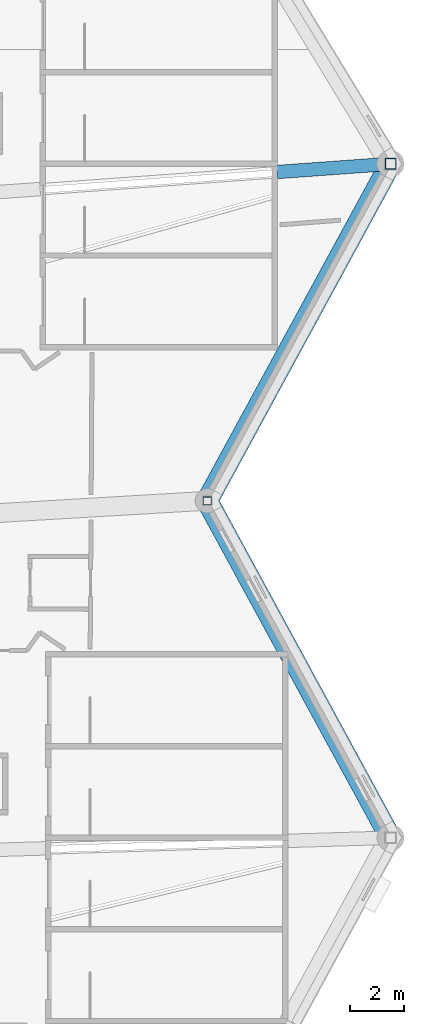
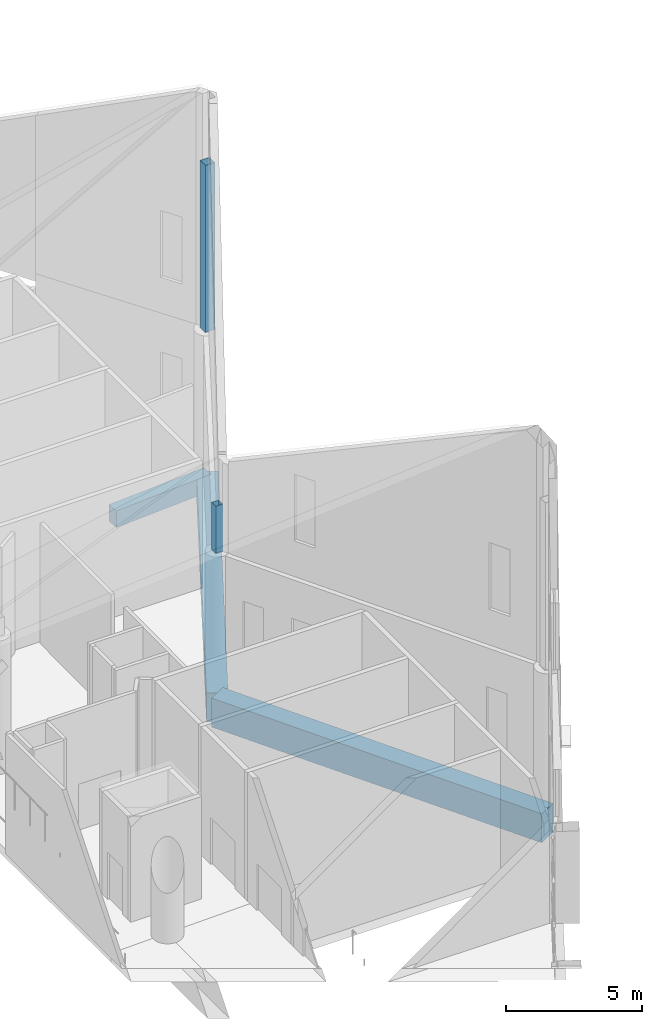
# One storey, part 198 of 344: 3 beams, 2 members.
"""IFC4 building model written with IfcOpenShell, lengths in metres."""

import ifcopenshell
import ifcopenshell.guid

model = None  # the IFC model being written
_history = None  # IfcOwnerHistory: only IFC2X3 demands one
_inside = {}  # id of a spatial element -> (the spatial element, [elements in it])
_under = {}  # id of a project, library or spatial element -> (it, [spatial elements below it])
_declared = {}  # id of a project -> (the project, [libraries it declares])
_typed = {}  # id of a type object -> (the type object, [elements of that type])
_made_of = {}  # id of a material, layer set ... -> (it, [elements and type objects made of it])


def new_model(schema):
    """Start an empty IFC model of exactly this schema.

    Asked for "IFC4X3", IfcOpenShell would pick the latest addendum, in which some entities
    have other attributes; the version numbers below select the first issue.
    IFC2X3 requires an IfcOwnerHistory on every rooted entity: one is made here for all.
    """
    global model, _history
    if schema == "IFC4X3":
        model = ifcopenshell.file(schema_version=(4, 3, 0, 0))
    else:
        model = ifcopenshell.file(schema=schema)
    _inside.clear()
    _under.clear()
    _declared.clear()
    _typed.clear()
    _made_of.clear()
    _history = None
    if model.schema == "IFC2X3":
        org = make("IfcOrganization", Name="unknown")
        user = make(
            "IfcPersonAndOrganization",
            ThePerson=make("IfcPerson", FamilyName="unknown"),
            TheOrganization=org,
        )
        app = make(
            "IfcApplication",
            ApplicationDeveloper=org,
            Version="unknown",
            ApplicationFullName="unknown",
            ApplicationIdentifier="unknown",
        )
        _history = make(
            "IfcOwnerHistory",
            OwningUser=user,
            OwningApplication=app,
            ChangeAction="ADDED",
            CreationDate=0,
        )
    return model


def make(cls, **values):
    """One entity of the class cls with the attributes given. An attribute that is None is left unset."""
    return model.create_entity(
        cls, **{name: value for name, value in values.items() if value is not None}
    )


def rooted(cls, **values):
    """An entity with a GlobalId (a new one), such as an element, a storey or a relation."""
    return make(cls, GlobalId=ifcopenshell.guid.new(), OwnerHistory=_history, **values)


def si_unit(unit_type, name, prefix=None):
    """IfcSIUnit, for example si_unit("LENGTHUNIT", "METRE", prefix="MILLI")."""
    return make("IfcSIUnit", UnitType=unit_type, Prefix=prefix, Name=name)


def assignment(units):
    """IfcUnitAssignment: the units of a project."""
    return None if units is None else make("IfcUnitAssignment", Units=units)


def point(xyz):
    """IfcCartesianPoint."""
    return None if xyz is None else make("IfcCartesianPoint", Coordinates=xyz)


def direction(xyz):
    """IfcDirection."""
    return None if xyz is None else make("IfcDirection", DirectionRatios=xyz)


def frame(location, z_axis=None, x_axis=None):
    """IfcAxis2Placement3D, a coordinate frame: its origin and axes. An axis left out is left unset."""
    return make(
        "IfcAxis2Placement3D",
        Location=point(location),
        Axis=direction(z_axis),
        RefDirection=direction(x_axis),
    )


def frame_2d(location, x_axis=None):
    """IfcAxis2Placement2D, a coordinate frame in the plane: its origin and x axis."""
    return make(
        "IfcAxis2Placement2D", Location=point(location), RefDirection=direction(x_axis)
    )


def origin():
    """The frame at (0, 0, 0) with its axes left unset."""
    return frame((0.0, 0.0, 0.0))


def origin_2d():
    """The frame at (0, 0) in the plane with its x axis left unset."""
    return frame_2d((0.0, 0.0))


def place(relative_to, where):
    """IfcLocalPlacement: puts the frame where relative to a parent placement (None: the world)."""
    return make(
        "IfcLocalPlacement", PlacementRelTo=relative_to, RelativePlacement=where
    )


def context(
    kind, dimensions, precision=None, world=None, true_north=None, identifier=None
):
    """IfcGeometricRepresentationContext, for example the 3D "Model" context."""
    return make(
        "IfcGeometricRepresentationContext",
        ContextIdentifier=identifier,
        ContextType=kind,
        CoordinateSpaceDimension=dimensions,
        Precision=precision,
        WorldCoordinateSystem=world,
        TrueNorth=true_north,
    )


def subcontext(parent, identifier, kind, view, scale=None):
    """IfcGeometricRepresentationSubContext, for example "Body" below "Model"."""
    return make(
        "IfcGeometricRepresentationSubContext",
        ContextIdentifier=identifier,
        ContextType=kind,
        ParentContext=parent,
        TargetScale=scale,
        TargetView=view,
    )


def project(units=None, contexts=None):
    """IfcProject with its units and contexts."""
    return rooted(
        "IfcProject",
        Name="project",
        RepresentationContexts=contexts,
        UnitsInContext=assignment(units),
    )


def spatial(cls, under=None, at=None, **own):
    """A site, building, storey or space (cls), placed at a placement, below another one or the project."""
    s = rooted(cls, ObjectPlacement=at, **own)
    if under is not None:
        _under.setdefault(under.id(), (under, []))[1].append(s)
    return s


def profile(cls, at=None, kind="AREA", **sizes):
    """A parametric profile (cls). Its sizes go by their IFC names, for example OverallWidth=200.0."""
    return make(cls, ProfileType=kind, Position=at, **sizes)


def rectangle(**sizes):
    """IfcRectangleProfileDef."""
    return profile("IfcRectangleProfileDef", **sizes)


def hollow_rectangle(**sizes):
    """IfcRectangleHollowProfileDef."""
    return profile("IfcRectangleHollowProfileDef", **sizes)


def extrude(swept, where, along, depth):
    """IfcExtrudedAreaSolid: the profile swept, set in the frame where, extruded along a direction by depth."""
    return make(
        "IfcExtrudedAreaSolid",
        SweptArea=swept,
        Position=where,
        ExtrudedDirection=direction(along),
        Depth=depth,
    )


def shape(context_of_items, identifier, shape_type, items):
    """IfcShapeRepresentation: the items that make up one representation, for example the "Body"."""
    return make(
        "IfcShapeRepresentation",
        ContextOfItems=context_of_items,
        RepresentationIdentifier=identifier,
        RepresentationType=shape_type,
        Items=items,
    )


def material(Name=None, Category=None):
    """IfcMaterial."""
    return make("IfcMaterial", Name=Name, Category=Category)


def material_profile(
    of_material, cross_section, Name=None, Category=None, Priority=None
):
    """IfcMaterialProfile: a cross section and its material."""
    return make(
        "IfcMaterialProfile",
        Name=Name,
        Material=of_material,
        Profile=cross_section,
        Priority=Priority,
        Category=Category,
    )


def profile_set(profiles, Name=None, composite=None):
    """IfcMaterialProfileSet."""
    return make(
        "IfcMaterialProfileSet",
        Name=Name,
        MaterialProfiles=profiles,
        CompositeProfile=composite,
    )


def made_of(thing, what):
    """Note that an element or type object is made of a material, layer set ...; save() writes the relation."""
    if what is not None:
        _made_of.setdefault(what.id(), (what, []))[1].append(thing)
    return thing


def type_object(cls, material=None, **own):
    """A type object (cls), such as IfcWallType, which elements share."""
    return made_of(rooted(cls, **own), material)


def element(
    cls,
    number,
    at=None,
    inside=None,
    cuts=None,
    type_object=None,
    material=None,
    context=None,
    identifier="Body",
    shape_type=None,
    held_by="IfcProductDefinitionShape",
    body=None,
    shapes=None,
    **own,
):
    """One element of the class cls, such as IfcWall. Its Tag is "e" and its number.

    at: its placement. inside: the storey or other place that contains it. cuts: it is an
    opening in that element (IfcRelVoidsElement). A single representation is given by context,
    identifier, shape_type and body (its items); several are given by shapes. held_by: the class
    of the entity that holds the representations. save() writes the other relations.
    """
    e = rooted(cls, Tag="e%d" % number, ObjectPlacement=at, **own)
    if body is not None:
        shapes = [shape(context, identifier, shape_type, body)]
    if shapes is not None:
        e.Representation = make(held_by, Representations=shapes)
    if inside is not None:
        _inside.setdefault(inside.id(), (inside, []))[1].append(e)
    if cuts is not None:
        rooted(
            "IfcRelVoidsElement", RelatingBuildingElement=cuts, RelatedOpeningElement=e
        )
    if type_object is not None:
        _typed.setdefault(type_object.id(), (type_object, []))[1].append(e)
    return made_of(e, material)


def aggregate(whole, parts):
    """IfcRelAggregates: a whole, such as a stair, and the parts it consists of."""
    return rooted("IfcRelAggregates", RelatingObject=whole, RelatedObjects=parts)


def save(model, path):
    """Write the relations noted so far, then the file.

    IfcRelAggregates (storeys below a building ...), IfcRelContainedInSpatialStructure (elements
    in a storey), IfcRelDefinesByType, IfcRelAssociatesMaterial and IfcRelDeclares: one each for
    every whole, place, type object, material and project.
    """
    for whole, parts in _under.values():
        aggregate(whole, parts)
    for where, things in _inside.values():
        rooted(
            "IfcRelContainedInSpatialStructure",
            RelatedElements=things,
            RelatingStructure=where,
        )
    for kind, things in _typed.values():
        rooted("IfcRelDefinesByType", RelatedObjects=things, RelatingType=kind)
    for what, things in _made_of.values():
        rooted("IfcRelAssociatesMaterial", RelatedObjects=things, RelatingMaterial=what)
    for by, libraries in _declared.values():
        rooted("IfcRelDeclares", RelatingContext=by, RelatedDefinitions=libraries)
    model.write(path)


model = new_model("IFC4")

# Units and contexts
model_context = context("Model", 3, precision=1e-05, world=origin(), true_north=direction((0.0, 1.0)))
body_context = subcontext(model_context, "Body", "Model", "MODEL_VIEW")
ifc_project = project(units=[si_unit("LENGTHUNIT", "METRE"), si_unit("AREAUNIT", "SQUARE_METRE"), si_unit("VOLUMEUNIT", "CUBIC_METRE"), si_unit("PLANEANGLEUNIT", "RADIAN"), si_unit("MASSUNIT", "GRAM", prefix="KILO")], contexts=[model_context])

# Site, building, storey
site_placement = place(None, origin())
site = spatial("IfcSite", under=ifc_project, at=site_placement, CompositionType="ELEMENT")
building_placement = place(site_placement, origin())
building = spatial("IfcBuilding", under=site, at=building_placement, Name="Meseta Stadium", CompositionType="ELEMENT")
storey_placement = place(building_placement, frame((0.0, 0.0, 24.0)))
storey = spatial("IfcBuildingStorey", under=building, at=storey_placement, Name="L04", CompositionType="ELEMENT", Elevation=24.0)

# Beams
ifc_material_1 = material(Name="Concrete C40/50", Category="concrete")
ifc_material_profile_1 = material_profile(ifc_material_1, rectangle(XDim=0.5, YDim=0.75, at=origin_2d()), Name="RC 500x750")
ifc_profile_set_1 = profile_set([ifc_material_profile_1], Name="Concrete C40/50")
beam_type_1 = type_object("IfcBeamType", Name="RC beam 500x750", PredefinedType="BEAM", material=ifc_profile_set_1)
beam_placement = place(storey_placement, frame((97.199951171875, 43.44775390625, -0.77490234375), z_axis=(0.997420591967, 0.071778567276, 0.0), x_axis=(-0.071778567276, 0.997420591967, 0.0)))
element("IfcBeam", 1, at=beam_placement, inside=storey, type_object=beam_type_1, Name="L04 radial beam frame 8 line P to R", PredefinedType="BEAM", context=body_context, shape_type="SweptSolid", body=[
    extrude(rectangle(XDim=0.5, YDim=0.75, at=origin_2d()), origin(), (0.0, 0.0, 1.0), 4.210693359375),
])
ifc_material_2 = material(Name="Concrete C40/50", Category="concrete")
ifc_material_profile_2 = material_profile(ifc_material_2, rectangle(XDim=0.800048828125, YDim=1.300048828125, at=origin_2d()), Name="RC 800x1300")
ifc_profile_set_2 = profile_set([ifc_material_profile_2], Name="Concrete C40/50")
beam_type_2 = type_object("IfcBeamType", Name="RC beam 800x1300", PredefinedType="BEAM", material=ifc_profile_set_2)
for number, where, z_axis, x_axis, name in (
    (2, (101.39990234375, 18.75, -1.050048828125), (-0.47785649891, 0.878437912689, 0.0), (-0.878437912689, -0.47785649891, 0.0), "L04 ring beam frame 6 line R"),
    (3, (94.60009765625, 31.25, -1.050048828125), (0.47785649891, 0.878437912689, 0.0), (-0.878437912689, 0.47785649891, 0.0), "L04 ring beam frame 7 line R"),
):
    element("IfcBeam", number, at=place(storey_placement, frame(where, z_axis=z_axis, x_axis=x_axis)), inside=storey, type_object=beam_type_2, Name=name, PredefinedType="BEAM", context=body_context, shape_type="SweptSolid", body=[
        extrude(rectangle(XDim=0.800048828125, YDim=1.300048828125, at=origin_2d()), origin(), (0.0, 0.0, 1.0), 14.229736328125),
    ])

# Members
ifc_material_3 = material(Name="Steel S355", Category="steel")
ifc_material_profile_3 = material_profile(ifc_material_3, hollow_rectangle(XDim=0.300048828125, YDim=0.300048828125, WallThickness=0.010009765625, at=origin_2d()), Name="SHS 300x300x10")
ifc_profile_set_3 = profile_set([ifc_material_profile_3], Name="Steel S355")
member_type_1 = type_object("IfcMemberType", Name="SHS 300x300x10 rim post", PredefinedType="POST", material=ifc_profile_set_3)
member_1_placement = place(storey_placement, frame((94.60009765625, 31.25, 6.0), z_axis=(0.0, 0.0, 1.0), x_axis=(1.0, 0.0, 0.0)))
element("IfcMember", 4, at=member_1_placement, inside=storey, type_object=member_type_1, Name="ROOF RIM POST RT-07", PredefinedType="POST", context=body_context, shape_type="SweptSolid", body=[
    extrude(hollow_rectangle(XDim=0.300048828125, YDim=0.300048828125, WallThickness=0.010009765625, at=origin_2d()), origin(), (0.0, 0.0, 1.0), 2.114990234375),
])
ifc_material_4 = material(Name="Steel S355", Category="steel")
ifc_material_profile_4 = material_profile(ifc_material_4, hollow_rectangle(XDim=0.39990234375, YDim=0.39990234375, WallThickness=0.01416015625, at=origin_2d()), Name="SHS 400x400x14.2")
ifc_profile_set_4 = profile_set([ifc_material_profile_4], Name="Steel S355")
member_type_2 = type_object("IfcMemberType", Name="SHS 400x400x14.2 rim post", PredefinedType="POST", material=ifc_profile_set_4)
member_2_placement = place(storey_placement, frame((101.39990234375, 43.75, 6.0), z_axis=(0.0, 0.0, 1.0), x_axis=(1.0, 0.0, 0.0)))
element("IfcMember", 5, at=member_2_placement, inside=storey, type_object=member_type_2, Name="ROOF RIM POST RT-08", PredefinedType="POST", context=body_context, shape_type="SweptSolid", body=[
    extrude(hollow_rectangle(XDim=0.39990234375, YDim=0.39990234375, WallThickness=0.01416015625, at=origin_2d()), origin(), (0.0, 0.0, 1.0), 7.4970703125),
])

save(model, "model.ifc")
